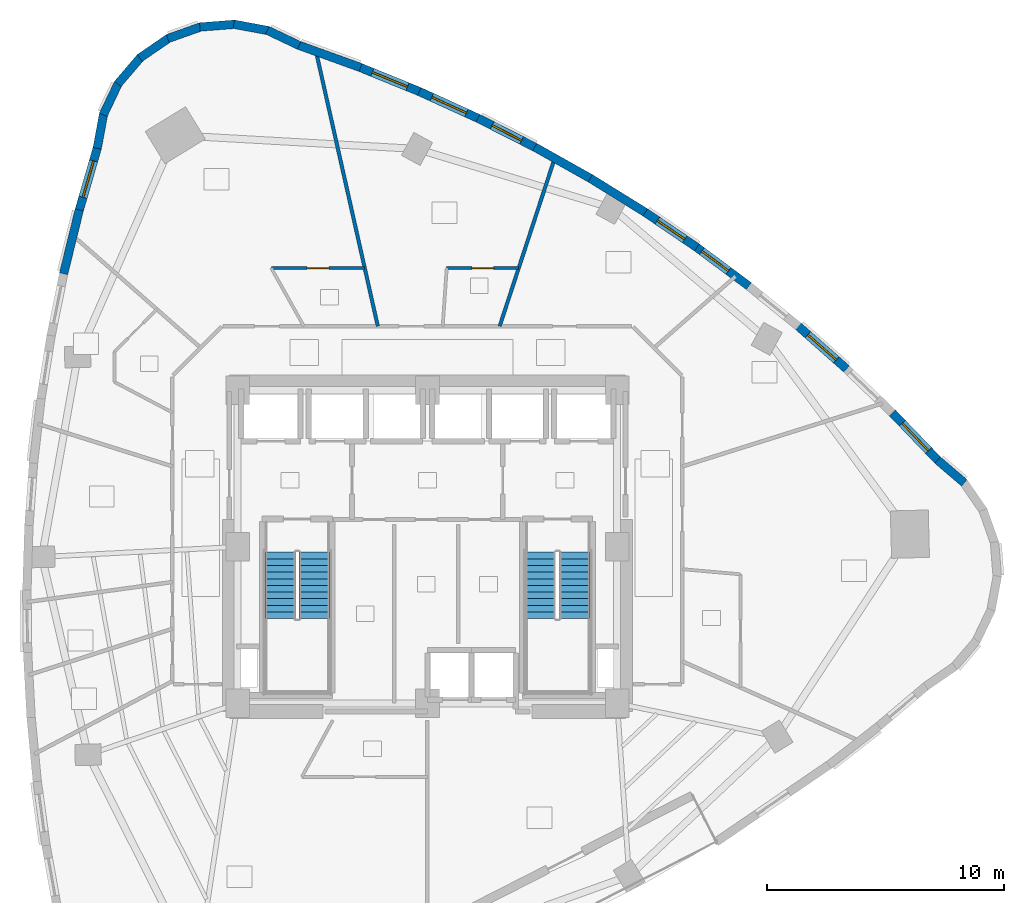
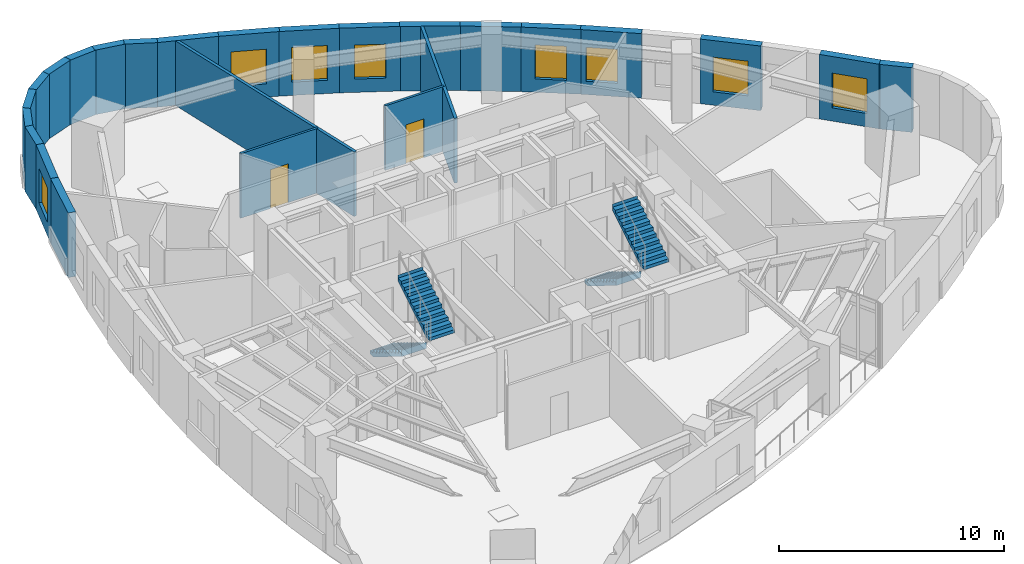
# One storey, part 8 of 11: 25 walls, 8 windows, 4 stair flights, 2 doors, 10 openings, 2 elements without a shape of their own.
"""IFC4 building model written with IfcOpenShell, lengths in metres."""

from ifc_helpers import new_model, si_unit, direction, frame, frame_2d, origin, place, context, subcontext, project, spatial, polyline, rectangle, outline, extrude, material, layer, layer_set, type_object, element, fill, aggregate, save


model = new_model("IFC4")

# Units and contexts
model_context = context("Model", 3, precision=1e-05, world=origin(), true_north=direction((0.0, 1.0)))
body_context = subcontext(model_context, "Body", "Model", "MODEL_VIEW")
ifc_project = project(units=[si_unit("LENGTHUNIT", "METRE"), si_unit("AREAUNIT", "SQUARE_METRE"), si_unit("VOLUMEUNIT", "CUBIC_METRE"), si_unit("PLANEANGLEUNIT", "RADIAN"), si_unit("MASSUNIT", "GRAM", prefix="KILO")], contexts=[model_context])

# Site, building, storey
site_placement = place(None, origin())
site = spatial("IfcSite", under=ifc_project, at=site_placement, CompositionType="ELEMENT")
building_placement = place(site_placement, origin())
building = spatial("IfcBuilding", under=site, at=building_placement, Name="Ndelora Gate Hotel", CompositionType="ELEMENT")
storey_placement = place(building_placement, frame((0.0, 0.0, 116.0)))
storey = spatial("IfcBuildingStorey", under=building, at=storey_placement, Name="L28", CompositionType="ELEMENT", Elevation=116.0)

# Walls
ifc_material_1 = material(Name="Clay Brick Masonry", Category="masonry")
ifc_layer_1 = layer(ifc_material_1, 0.360107421875)
ifc_layer_set_1 = layer_set([ifc_layer_1], Name="Clay Brick Masonry")
wall_type_1 = type_object("IfcWallType", Name="WL-BRICK-360", PredefinedType="SOLIDWALL", material=ifc_layer_set_1)
wall_1_placement = place(storey_placement, frame((-6.749267578125, 21.779052734375, 0.0), z_axis=(0.0, 0.0, 1.0), x_axis=(0.902586982789, -0.430507535938, 0.0)))
element("IfcWall", 1, at=wall_1_placement, inside=storey, type_object=wall_type_1, Name="L28 Tower Brick Pier-and-Spandrel Wall TWR-1", PredefinedType="SOLIDWALL", context=body_context, shape_type="SweptSolid", body=[
    extrude(rectangle(XDim=1.48583984375, YDim=0.360107421875, at=frame_2d((0.742919921875, 0.0))), origin(), (0.0, 0.0, 1.0), 3.5),
])
wall_2_placement = place(storey_placement, frame((-8.1630859375, 22.034423828125, 0.0), z_axis=(0.0, 0.0, 1.0), x_axis=(0.983262389335, -0.182195152844, 0.0)))
element("IfcWall", 2, at=wall_2_placement, inside=storey, type_object=wall_type_1, Name="L28 Tower Brick Pier-and-Spandrel Wall TWR-2", PredefinedType="SOLIDWALL", context=body_context, shape_type="SweptSolid", body=[
    extrude(rectangle(XDim=1.486083984375, YDim=0.360107421875, at=frame_2d((0.7431640625, 0.0))), origin(), (0.0, 0.0, 1.0), 3.5),
])
wall_3_placement = place(storey_placement, frame((-9.594482421875, 21.915283203125, 0.0), z_axis=(0.0, 0.0, 1.0), x_axis=(0.996922531952, 0.078393018091, 0.0)))
element("IfcWall", 3, at=wall_3_placement, inside=storey, type_object=wall_type_1, Name="L28 Tower Brick Pier-and-Spandrel Wall TWR-3", PredefinedType="SOLIDWALL", context=body_context, shape_type="SweptSolid", body=[
    extrude(rectangle(XDim=1.485595703125, YDim=0.360107421875, at=frame_2d((0.74267578125, 0.0))), origin(), (0.0, 0.0, 1.0), 3.5),
])
wall_4_placement = place(storey_placement, frame((-10.94677734375, 21.4296875, 0.0), z_axis=(0.0, 0.0, 1.0), x_axis=(0.942671384708, 0.33372243025, 0.0)))
element("IfcWall", 4, at=wall_4_placement, inside=storey, type_object=wall_type_1, Name="L28 Tower Brick Pier-and-Spandrel Wall TWR-4", PredefinedType="SOLIDWALL", context=body_context, shape_type="SweptSolid", body=[
    extrude(rectangle(XDim=1.48583984375, YDim=0.360107421875, at=frame_2d((0.742919921875, 0.0))), origin(), (0.0, 0.0, 1.0), 3.5),
])
wall_5_placement = place(storey_placement, frame((-12.126953125, 20.610595703125, 0.0), z_axis=(0.0, 0.0, 1.0), x_axis=(0.824104250472, 0.566438155808, 0.0)))
element("IfcWall", 5, at=wall_5_placement, inside=storey, type_object=wall_type_1, Name="L28 Tower Brick Pier-and-Spandrel Wall TWR-5", PredefinedType="SOLIDWALL", context=body_context, shape_type="SweptSolid", body=[
    extrude(rectangle(XDim=1.485595703125, YDim=0.360107421875, at=frame_2d((0.74267578125, 0.0))), origin(), (0.0, 0.0, 1.0), 3.5),
])
for number, where, z_axis, x_axis, name in (
    (6, (-13.05517578125, 19.513916015625, 0.0), (0.0, 0.0, 1.0), (0.649477934003, 0.760380439809, 0.0), "L28 Tower Brick Pier-and-Spandrel Wall TWR-6"),
    (7, (-13.667724609375, 18.21435546875, 0.0), (0.0, 0.0, 1.0), (0.430507535938, 0.902586982789, 0.0), "L28 Tower Brick Pier-and-Spandrel Wall TWR-7"),
):
    element("IfcWall", number, at=place(storey_placement, frame(where, z_axis=z_axis, x_axis=x_axis)), inside=storey, type_object=wall_type_1, Name=name, PredefinedType="SOLIDWALL", context=body_context, shape_type="SweptSolid", body=[
        extrude(rectangle(XDim=1.48583984375, YDim=0.360107421875, at=frame_2d((0.742919921875, 0.0))), origin(), (0.0, 0.0, 1.0), 3.5),
    ])
wall_6_placement = place(storey_placement, frame((-13.92333984375, 16.800537109375, 0.0), z_axis=(0.0, 0.0, 1.0), x_axis=(0.18235397995, 0.983232945947, 0.0)))
element("IfcWall", 8, at=wall_6_placement, inside=storey, type_object=wall_type_1, Name="L28 Tower Brick Pier-and-Spandrel Wall TWR-8", PredefinedType="SOLIDWALL", context=body_context, shape_type="SweptSolid", body=[
    extrude(rectangle(XDim=1.486083984375, YDim=0.360107421875, at=frame_2d((0.7431640625, 0.0))), origin(), (0.0, 0.0, 1.0), 3.5),
])

# Wall, opening, window
wall_7_placement = place(storey_placement, frame((-14.69140625, 14.15869140625, 0.0), z_axis=(0.0, 0.0, 1.0), x_axis=(0.278379734644, 0.960471094484, 0.0)))
wall_7 = element("IfcWall", 9, at=wall_7_placement, inside=storey, type_object=wall_type_1, Name="L28 Tower Brick Pier-and-Spandrel Wall TWR-9", PredefinedType="SOLIDWALL", context=body_context, shape_type="SweptSolid", body=[
    extrude(rectangle(XDim=2.80126953125, YDim=0.360107421875, at=frame_2d((1.400634765625, 0.0))), origin(), (0.0, 0.0, 1.0), 3.5),
])
opening_1_placement = place(wall_7_placement, frame((0.6005859375, 0.0, 0.719970703125)))
opening_1 = element("IfcOpeningElement", 10, at=opening_1_placement, cuts=wall_7, Name="Opening W03", PredefinedType="OPENING", context=body_context, shape_type="SweptSolid", body=[
    extrude(rectangle(XDim=1.60009765625, YDim=1.8798828125, at=frame_2d((0.800048828125, 0.93994140625))), frame((0.0, 0.18994140625, 0.0), z_axis=(0.0, -1.0, 0.0), x_axis=(1.0, 0.0, 0.0)), (0.0, 0.0, 1.0), 0.380126953125),
])
ifc_material_2 = material(Name="Insulated Low-E Double Glazing in Bronze Aluminium Frame", Category="aluminium")
window_type_1 = type_object("IfcWindowType", Name="WN-CORN-2100", PartitioningType="SINGLE_PANEL", PredefinedType="WINDOW", material=ifc_material_2)
window_1_placement = place(opening_1_placement, origin())
window_1 = element("IfcWindow", 11, at=window_1_placement, inside=storey, type_object=window_type_1, Name="L28 Deep-Set Brick-Pier Window W03", OverallHeight=1.8798828125, OverallWidth=1.60009765625, PartitioningType="SINGLE_PANEL", PredefinedType="WINDOW", context=body_context, shape_type="SweptSolid", body=[
    extrude(rectangle(XDim=1.60009765625, YDim=1.8798828125, at=frame_2d((0.800048828125, 0.93994140625))), frame((0.0, 0.030029296875, 0.0), z_axis=(0.0, -1.0, 0.0), x_axis=(1.0, 0.0, 0.0)), (0.0, 0.0, 1.0), 0.06005859375),
])
fill(opening_1, window_1)

# Walls
wall_8_placement = place(storey_placement, frame((-15.34228515625, 11.510009765625, 0.0), z_axis=(0.0, 0.0, 1.0), x_axis=(0.238997371457, 0.971020214227, 0.0)))
element("IfcWall", 12, at=wall_8_placement, inside=storey, type_object=wall_type_1, Name="L28 Tower Brick Pier-and-Spandrel Wall TWR-10", PredefinedType="SOLIDWALL", context=body_context, shape_type="SweptSolid", body=[
    extrude(rectangle(XDim=2.777587890625, YDim=0.360107421875, at=frame_2d((1.388671875, 0.0))), origin(), (0.0, 0.0, 1.0), 3.5),
])
wall_9_placement = place(storey_placement, frame((21.511474609375, 3.657470703125, 0.0), z_axis=(0.0, 0.0, 1.0), x_axis=(0.760392276745, -0.649464075578, 0.0)))
element("IfcWall", 13, at=wall_9_placement, inside=storey, type_object=wall_type_1, Name="L28 Tower Brick Pier-and-Spandrel Wall TWR-46", PredefinedType="SOLIDWALL", context=body_context, shape_type="SweptSolid", body=[
    extrude(rectangle(XDim=1.485595703125, YDim=0.360107421875, at=frame_2d((0.74267578125, 0.0))), origin(), (0.0, 0.0, 1.0), 3.5),
])

# Wall, opening, window
wall_10_placement = place(storey_placement, frame((19.607421875, 5.643798828125, 0.0), z_axis=(0.0, 0.0, 1.0), x_axis=(0.692624348053, -0.72129849056, 0.0)))
wall_10 = element("IfcWall", 14, at=wall_10_placement, inside=storey, type_object=wall_type_1, Name="L28 Tower Brick Pier-and-Spandrel Wall TWR-47", PredefinedType="SOLIDWALL", context=body_context, shape_type="SweptSolid", body=[
    extrude(rectangle(XDim=2.80126953125, YDim=0.360107421875, at=frame_2d((1.400634765625, 0.0))), origin(), (0.0, 0.0, 1.0), 3.5),
])
opening_2_placement = place(wall_10_placement, frame((0.6005859375, 0.0, 0.719970703125)))
opening_2 = element("IfcOpeningElement", 15, at=opening_2_placement, cuts=wall_10, Name="Opening W01", PredefinedType="OPENING", context=body_context, shape_type="SweptSolid", body=[
    extrude(rectangle(XDim=1.60009765625, YDim=1.8798828125, at=frame_2d((0.800048828125, 0.93994140625))), frame((0.0, 0.18994140625, 0.0), z_axis=(0.0, -1.0, 0.0), x_axis=(1.0, 0.0, 0.0)), (0.0, 0.0, 1.0), 0.380126953125),
])
window_type_2 = type_object("IfcWindowType", Name="WN-DEEP-1600", PartitioningType="SINGLE_PANEL", PredefinedType="WINDOW", material=ifc_material_2)
window_2_placement = place(opening_2_placement, origin())
window_2 = element("IfcWindow", 16, at=window_2_placement, inside=storey, type_object=window_type_2, Name="L28 Deep-Set Brick-Pier Window W01", OverallHeight=1.8798828125, OverallWidth=1.60009765625, PartitioningType="SINGLE_PANEL", PredefinedType="WINDOW", context=body_context, shape_type="SweptSolid", body=[
    extrude(rectangle(XDim=1.60009765625, YDim=1.8798828125, at=frame_2d((0.800048828125, 0.93994140625))), frame((0.0, 0.030029296875, 0.0), z_axis=(0.0, -1.0, 0.0), x_axis=(1.0, 0.0, 0.0)), (0.0, 0.0, 1.0), 0.06005859375),
])
fill(opening_2, window_2)

wall_11_placement = place(storey_placement, frame((15.60888671875, 9.32470703125, 0.0), z_axis=(0.0, 0.0, 1.0), x_axis=(0.749310700852, -0.662218599549, 0.0)))
wall_11 = element("IfcWall", 17, at=wall_11_placement, inside=storey, type_object=wall_type_1, Name="L28 Tower Brick Pier-and-Spandrel Wall TWR-49", PredefinedType="SOLIDWALL", context=body_context, shape_type="SweptSolid", body=[
    extrude(rectangle(XDim=2.75830078125, YDim=0.360107421875, at=frame_2d((1.379150390625, 0.0))), origin(), (0.0, 0.0, 1.0), 3.5),
])
opening_3_placement = place(wall_11_placement, frame((0.5791015625, 0.0, 0.719970703125)))
opening_3 = element("IfcOpeningElement", 18, at=opening_3_placement, cuts=wall_11, Name="Opening W03", PredefinedType="OPENING", context=body_context, shape_type="SweptSolid", body=[
    extrude(rectangle(XDim=1.60009765625, YDim=1.8798828125, at=frame_2d((0.800048828125, 0.93994140625))), frame((0.0, 0.18994140625, 0.0), z_axis=(0.0, -1.0, 0.0), x_axis=(1.0, 0.0, 0.0)), (0.0, 0.0, 1.0), 0.380126953125),
])
window_3_placement = place(opening_3_placement, origin())
window_3 = element("IfcWindow", 19, at=window_3_placement, inside=storey, type_object=window_type_1, Name="L28 Deep-Set Brick-Pier Window W03", OverallHeight=1.8798828125, OverallWidth=1.60009765625, PartitioningType="SINGLE_PANEL", PredefinedType="WINDOW", context=body_context, shape_type="SweptSolid", body=[
    extrude(rectangle(XDim=1.60009765625, YDim=1.8798828125, at=frame_2d((0.800048828125, 0.93994140625))), frame((0.0, 0.030029296875, 0.0), z_axis=(0.0, -1.0, 0.0), x_axis=(1.0, 0.0, 0.0)), (0.0, 0.0, 1.0), 0.06005859375),
])
fill(opening_3, window_3)

wall_12_placement = place(storey_placement, frame((11.362060546875, 12.623046875, 0.0), z_axis=(0.0, 0.0, 1.0), x_axis=(0.802329676415, -0.596881135859, 0.0)))
wall_12 = element("IfcWall", 20, at=wall_12_placement, inside=storey, type_object=wall_type_1, Name="L28 Tower Brick Pier-and-Spandrel Wall TWR-51", PredefinedType="SOLIDWALL", context=body_context, shape_type="SweptSolid", body=[
    extrude(rectangle(XDim=2.734375, YDim=0.360107421875, at=frame_2d((1.3671875, 0.0))), origin(), (0.0, 0.0, 1.0), 3.5),
])
opening_4_placement = place(wall_12_placement, frame((0.260009765625, 0.0, 0.719970703125)))
opening_4 = element("IfcOpeningElement", 21, at=opening_4_placement, cuts=wall_12, Name="Opening W02", PredefinedType="OPENING", context=body_context, shape_type="SweptSolid", body=[
    extrude(rectangle(XDim=1.39990234375, YDim=1.840087890625, at=frame_2d((0.699951171875, 0.919921875))), frame((0.0, 0.18994140625, 0.0), z_axis=(0.0, -1.0, 0.0), x_axis=(1.0, 0.0, 0.0)), (0.0, 0.0, 1.0), 0.380126953125),
])
window_type_3 = type_object("IfcWindowType", Name="WN-DEEP-1400", PartitioningType="SINGLE_PANEL", PredefinedType="WINDOW", material=ifc_material_2)
window_4_placement = place(opening_4_placement, origin())
window_4 = element("IfcWindow", 22, at=window_4_placement, inside=storey, type_object=window_type_3, Name="L28 Deep-Set Brick-Pier Window W02", OverallHeight=1.840087890625, OverallWidth=1.39990234375, PartitioningType="SINGLE_PANEL", PredefinedType="WINDOW", context=body_context, shape_type="SweptSolid", body=[
    extrude(rectangle(XDim=1.39990234375, YDim=1.840087890625, at=frame_2d((0.699951171875, 0.919921875))), frame((0.0, 0.030029296875, 0.0), z_axis=(0.0, -1.0, 0.0), x_axis=(1.0, 0.0, 0.0)), (0.0, 0.0, 1.0), 0.06005859375),
])
fill(opening_4, window_4)

wall_13_placement = place(storey_placement, frame((9.145751953125, 14.129150390625, 0.0), z_axis=(0.0, 0.0, 1.0), x_axis=(0.826868273885, -0.562395641557, 0.0)))
wall_13 = element("IfcWall", 23, at=wall_13_placement, inside=storey, type_object=wall_type_1, Name="L28 Tower Brick Pier-and-Spandrel Wall TWR-52", PredefinedType="SOLIDWALL", context=body_context, shape_type="SweptSolid", body=[
    extrude(rectangle(XDim=2.729736328125, YDim=0.360107421875, at=frame_2d((1.36474609375, 0.0))), origin(), (0.0, 0.0, 1.0), 3.5),
])
opening_5_placement = place(wall_13_placement, frame((0.664794921875, 0.0, 0.719970703125)))
opening_5 = element("IfcOpeningElement", 24, at=opening_5_placement, cuts=wall_13, Name="Opening W02", PredefinedType="OPENING", context=body_context, shape_type="SweptSolid", body=[
    extrude(rectangle(XDim=1.39990234375, YDim=1.840087890625, at=frame_2d((0.699951171875, 0.919921875))), frame((0.0, 0.18994140625, 0.0), z_axis=(0.0, -1.0, 0.0), x_axis=(1.0, 0.0, 0.0)), (0.0, 0.0, 1.0), 0.380126953125),
])
window_5_placement = place(opening_5_placement, origin())
window_5 = element("IfcWindow", 25, at=window_5_placement, inside=storey, type_object=window_type_3, Name="L28 Deep-Set Brick-Pier Window W02", OverallHeight=1.840087890625, OverallWidth=1.39990234375, PartitioningType="SINGLE_PANEL", PredefinedType="WINDOW", context=body_context, shape_type="SweptSolid", body=[
    extrude(rectangle(XDim=1.39990234375, YDim=1.840087890625, at=frame_2d((0.699951171875, 0.919921875))), frame((0.0, 0.030029296875, 0.0), z_axis=(0.0, -1.0, 0.0), x_axis=(1.0, 0.0, 0.0)), (0.0, 0.0, 1.0), 0.06005859375),
])
fill(opening_5, window_5)

# Walls
wall_14_placement = place(storey_placement, frame((6.8671875, 15.53955078125, 0.0), z_axis=(0.0, 0.0, 1.0), x_axis=(0.850066866235, -0.526674779091, 0.0)))
element("IfcWall", 26, at=wall_14_placement, inside=storey, type_object=wall_type_1, Name="L28 Tower Brick Pier-and-Spandrel Wall TWR-53", PredefinedType="SOLIDWALL", context=body_context, shape_type="SweptSolid", body=[
    extrude(rectangle(XDim=2.729736328125, YDim=0.360107421875, at=frame_2d((1.36474609375, 0.0))), origin(), (0.0, 0.0, 1.0), 3.5),
])
wall_15_placement = place(storey_placement, frame((4.527099609375, 16.8544921875, 0.0), z_axis=(0.0, 0.0, 1.0), x_axis=(0.871580305906, -0.490252761702, 0.0)))
element("IfcWall", 27, at=wall_15_placement, inside=storey, type_object=wall_type_1, Name="L28 Tower Brick Pier-and-Spandrel Wall TWR-54", PredefinedType="SOLIDWALL", context=body_context, shape_type="SweptSolid", body=[
    extrude(rectangle(XDim=2.734375, YDim=0.360107421875, at=frame_2d((1.3671875, 0.0))), origin(), (0.0, 0.0, 1.0), 3.5),
])

# Wall, opening, window
wall_16_placement = place(storey_placement, frame((2.124755859375, 18.073486328125, 0.0), z_axis=(0.0, 0.0, 1.0), x_axis=(0.891561759687, -0.452899137406, 0.0)))
wall_16 = element("IfcWall", 28, at=wall_16_placement, inside=storey, type_object=wall_type_1, Name="L28 Tower Brick Pier-and-Spandrel Wall TWR-55", PredefinedType="SOLIDWALL", context=body_context, shape_type="SweptSolid", body=[
    extrude(rectangle(XDim=2.743896484375, YDim=0.360107421875, at=frame_2d((1.3720703125, 0.0))), origin(), (0.0, 0.0, 1.0), 3.5),
])
opening_6_placement = place(wall_16_placement, frame((0.672119140625, 0.0, 0.719970703125)))
opening_6 = element("IfcOpeningElement", 29, at=opening_6_placement, cuts=wall_16, Name="Opening W02", PredefinedType="OPENING", context=body_context, shape_type="SweptSolid", body=[
    extrude(rectangle(XDim=1.39990234375, YDim=1.840087890625, at=frame_2d((0.699951171875, 0.919921875))), frame((0.0, 0.18994140625, 0.0), z_axis=(0.0, -1.0, 0.0), x_axis=(1.0, 0.0, 0.0)), (0.0, 0.0, 1.0), 0.380126953125),
])
window_6_placement = place(opening_6_placement, origin())
window_6 = element("IfcWindow", 30, at=window_6_placement, inside=storey, type_object=window_type_3, Name="L28 Deep-Set Brick-Pier Window W02", OverallHeight=1.840087890625, OverallWidth=1.39990234375, PartitioningType="SINGLE_PANEL", PredefinedType="WINDOW", context=body_context, shape_type="SweptSolid", body=[
    extrude(rectangle(XDim=1.39990234375, YDim=1.840087890625, at=frame_2d((0.699951171875, 0.919921875))), frame((0.0, 0.030029296875, 0.0), z_axis=(0.0, -1.0, 0.0), x_axis=(1.0, 0.0, 0.0)), (0.0, 0.0, 1.0), 0.06005859375),
])
fill(opening_6, window_6)

wall_17_placement = place(storey_placement, frame((-0.339599609375, 19.197509765625, 0.0), z_axis=(0.0, 0.0, 1.0), x_axis=(0.909692365211, -0.415282796028, 0.0)))
wall_17 = element("IfcWall", 31, at=wall_17_placement, inside=storey, type_object=wall_type_1, Name="L28 Tower Brick Pier-and-Spandrel Wall TWR-56", PredefinedType="SOLIDWALL", context=body_context, shape_type="SweptSolid", body=[
    extrude(rectangle(XDim=2.75830078125, YDim=0.360107421875, at=frame_2d((1.379150390625, 0.0))), origin(), (0.0, 0.0, 1.0), 3.5),
])
opening_7_placement = place(wall_17_placement, frame((0.579345703125, 0.0, 0.719970703125)))
opening_7 = element("IfcOpeningElement", 32, at=opening_7_placement, cuts=wall_17, Name="Opening W01", PredefinedType="OPENING", context=body_context, shape_type="SweptSolid", body=[
    extrude(rectangle(XDim=1.60009765625, YDim=1.8798828125, at=frame_2d((0.800048828125, 0.93994140625))), frame((0.0, 0.18994140625, 0.0), z_axis=(0.0, -1.0, 0.0), x_axis=(1.0, 0.0, 0.0)), (0.0, 0.0, 1.0), 0.380126953125),
])
window_7_placement = place(opening_7_placement, origin())
window_7 = element("IfcWindow", 33, at=window_7_placement, inside=storey, type_object=window_type_2, Name="L28 Deep-Set Brick-Pier Window W01", OverallHeight=1.8798828125, OverallWidth=1.60009765625, PartitioningType="SINGLE_PANEL", PredefinedType="WINDOW", context=body_context, shape_type="SweptSolid", body=[
    extrude(rectangle(XDim=1.60009765625, YDim=1.8798828125, at=frame_2d((0.800048828125, 0.93994140625))), frame((0.0, 0.030029296875, 0.0), z_axis=(0.0, -1.0, 0.0), x_axis=(1.0, 0.0, 0.0)), (0.0, 0.0, 1.0), 0.06005859375),
])
fill(opening_7, window_7)

wall_18_placement = place(storey_placement, frame((-2.865966796875, 20.2255859375, 0.0), z_axis=(0.0, 0.0, 1.0), x_axis=(0.926106009393, -0.377263381958, 0.0)))
wall_18 = element("IfcWall", 34, at=wall_18_placement, inside=storey, type_object=wall_type_1, Name="L28 Tower Brick Pier-and-Spandrel Wall TWR-57", PredefinedType="SOLIDWALL", context=body_context, shape_type="SweptSolid", body=[
    extrude(rectangle(XDim=2.777587890625, YDim=0.360107421875, at=frame_2d((1.388671875, 0.0))), origin(), (0.0, 0.0, 1.0), 3.5),
])
opening_8_placement = place(wall_18_placement, frame((0.5888671875, 0.0, 0.719970703125)))
opening_8 = element("IfcOpeningElement", 35, at=opening_8_placement, cuts=wall_18, Name="Opening W03", PredefinedType="OPENING", context=body_context, shape_type="SweptSolid", body=[
    extrude(rectangle(XDim=1.60009765625, YDim=1.8798828125, at=frame_2d((0.800048828125, 0.93994140625))), frame((0.0, 0.18994140625, 0.0), z_axis=(0.0, -1.0, 0.0), x_axis=(1.0, 0.0, 0.0)), (0.0, 0.0, 1.0), 0.380126953125),
])
window_8_placement = place(opening_8_placement, origin())
window_8 = element("IfcWindow", 36, at=window_8_placement, inside=storey, type_object=window_type_1, Name="L28 Deep-Set Brick-Pier Window W03", OverallHeight=1.8798828125, OverallWidth=1.60009765625, PartitioningType="SINGLE_PANEL", PredefinedType="WINDOW", context=body_context, shape_type="SweptSolid", body=[
    extrude(rectangle(XDim=1.60009765625, YDim=1.8798828125, at=frame_2d((0.800048828125, 0.93994140625))), frame((0.0, 0.030029296875, 0.0), z_axis=(0.0, -1.0, 0.0), x_axis=(1.0, 0.0, 0.0)), (0.0, 0.0, 1.0), 0.06005859375),
])
fill(opening_8, window_8)

# Walls
wall_19_placement = place(storey_placement, frame((-5.4541015625, 21.15869140625, 0.0), z_axis=(0.0, 0.0, 1.0), x_axis=(0.94061266542, -0.339481683822, 0.0)))
element("IfcWall", 37, at=wall_19_placement, inside=storey, type_object=wall_type_1, Name="L28 Tower Brick Pier-and-Spandrel Wall TWR-58", PredefinedType="SOLIDWALL", context=body_context, shape_type="SweptSolid", body=[
    extrude(rectangle(XDim=2.801025390625, YDim=0.360107421875, at=frame_2d((1.400390625, 0.0))), origin(), (0.0, 0.0, 1.0), 3.5),
])
ifc_material_3 = material(Name="Fire-Rated Gypsum Stud Partition", Category="gypsum")
ifc_layer_2 = layer(ifc_material_3, 0.14990234375)
ifc_layer_set_2 = layer_set([ifc_layer_2], Name="Fire-Rated Gypsum Stud Partition")
wall_type_2 = type_object("IfcWallType", Name="WL-PART-150", PredefinedType="PARTITIONING", material=ifc_layer_set_2)
wall_20_placement = place(storey_placement, frame((3.04638671875, 9.300048828125, 0.0), z_axis=(0.0, 0.0, 1.0), x_axis=(0.31130966002, 0.950308526521, 0.0)))
element("IfcWall", 38, at=wall_20_placement, inside=storey, type_object=wall_type_2, Name="L28 Interior Wall IW-5", PredefinedType="PARTITIONING", context=body_context, shape_type="SweptSolid", body=[
    extrude(rectangle(XDim=7.45263671875, YDim=0.14990234375, at=frame_2d((3.726318359375, 0.0))), origin(), (0.0, 0.0, 1.0), 3.5),
])
wall_21_placement = place(storey_placement, frame((-2.091552734375, 9.300048828125, 0.0), z_axis=(0.0, 0.0, 1.0), x_axis=(-0.219430983932, 0.975628025064, 0.0)))
element("IfcWall", 39, at=wall_21_placement, inside=storey, type_object=wall_type_2, Name="L28 Interior Wall IW-5", PredefinedType="PARTITIONING", context=body_context, shape_type="SweptSolid", body=[
    extrude(rectangle(XDim=11.874755859375, YDim=0.14990234375, at=frame_2d((5.9375, 0.0))), origin(), (0.0, 0.0, 1.0), 3.5),
])

# Wall, opening, door
ifc_material_4 = material(Name="Moisture-Resistant Bathroom Tile Partition", Category="gypsum")
ifc_layer_3 = layer(ifc_material_4, 0.1201171875)
ifc_layer_set_3 = layer_set([ifc_layer_3], Name="Moisture-Resistant Bathroom Tile Partition")
wall_type_3 = type_object("IfcWallType", Name="WL-WET-120", PredefinedType="PARTITIONING", material=ifc_layer_set_3)
wall_22_placement = place(storey_placement, frame((0.814208984375, 11.75, 0.0), z_axis=(0.0, 0.0, 1.0), x_axis=(1.0, 0.0, 0.0)))
wall_22 = element("IfcWall", 40, at=wall_22_placement, inside=storey, type_object=wall_type_3, Name="L28 Interior Wall IW-7", PredefinedType="PARTITIONING", context=body_context, shape_type="SweptSolid", body=[
    extrude(rectangle(XDim=3.034912109375, YDim=0.1201171875, at=frame_2d((1.517578125, 0.0))), origin(), (0.0, 0.0, 1.0), 3.5),
])
opening_9_placement = place(wall_22_placement, frame((1.057373046875, 0.0, 0.0)))
opening_9 = element("IfcOpeningElement", 41, at=opening_9_placement, cuts=wall_22, Name="Opening D03", PredefinedType="OPENING", context=body_context, shape_type="SweptSolid", body=[
    extrude(rectangle(XDim=0.919921875, YDim=2.10009765625, at=frame_2d((0.4599609375, 1.050048828125))), frame((0.0, 0.070068359375, 0.0), z_axis=(0.0, -1.0, 0.0), x_axis=(1.0, 0.0, 0.0)), (0.0, 0.0, 1.0), 0.14013671875),
])
ifc_material_5 = material(Name="Moisture-Resistant Hardwood En-Suite Door", Category="wood")
door_type = type_object("IfcDoorType", Name="DR-BATH-920", OperationType="SINGLE_SWING_LEFT", PredefinedType="DOOR", material=ifc_material_5)
door_1_placement = place(opening_9_placement, origin())
door_1 = element("IfcDoor", 42, at=door_1_placement, inside=storey, type_object=door_type, Name="L28 En-suite Bathroom 3103 Door", OperationType="SINGLE_SWING_RIGHT", OverallHeight=2.10009765625, OverallWidth=0.919921875, PredefinedType="DOOR", context=body_context, shape_type="SweptSolid", body=[
    extrude(rectangle(XDim=0.919921875, YDim=2.10009765625, at=frame_2d((0.4599609375, 1.050048828125))), frame((0.0, 0.02490234375, 0.0), z_axis=(0.0, -1.0, 0.0), x_axis=(1.0, 0.0, 0.0)), (0.0, 0.0, 1.0), 0.050048828125),
])
fill(opening_9, door_1)

wall_23_placement = place(storey_placement, frame((-6.58251953125, 11.75, 0.0), z_axis=(0.0, 0.0, 1.0), x_axis=(1.0, 0.0, 0.0)))
wall_23 = element("IfcWall", 43, at=wall_23_placement, inside=storey, type_object=wall_type_3, Name="L28 Interior Wall IW-7", PredefinedType="PARTITIONING", context=body_context, shape_type="SweptSolid", body=[
    extrude(rectangle(XDim=3.93994140625, YDim=0.1201171875, at=frame_2d((1.969970703125, 0.0))), origin(), (0.0, 0.0, 1.0), 3.5),
])
opening_10_placement = place(wall_23_placement, frame((1.510009765625, 0.0, 0.0)))
opening_10 = element("IfcOpeningElement", 44, at=opening_10_placement, cuts=wall_23, Name="Opening D03", PredefinedType="OPENING", context=body_context, shape_type="SweptSolid", body=[
    extrude(rectangle(XDim=0.919921875, YDim=2.10009765625, at=frame_2d((0.4599609375, 1.050048828125))), frame((0.0, 0.070068359375, 0.0), z_axis=(0.0, -1.0, 0.0), x_axis=(1.0, 0.0, 0.0)), (0.0, 0.0, 1.0), 0.14013671875),
])
door_2_placement = place(opening_10_placement, origin())
door_2 = element("IfcDoor", 45, at=door_2_placement, inside=storey, type_object=door_type, Name="L28 En-suite Bathroom 3104 Door", OperationType="SINGLE_SWING_LEFT", OverallHeight=2.10009765625, OverallWidth=0.919921875, PredefinedType="DOOR", context=body_context, shape_type="SweptSolid", body=[
    extrude(rectangle(XDim=0.919921875, YDim=2.10009765625, at=frame_2d((0.4599609375, 1.050048828125))), frame((0.0, 0.02490234375, 0.0), z_axis=(0.0, -1.0, 0.0), x_axis=(1.0, 0.0, 0.0)), (0.0, 0.0, 1.0), 0.050048828125),
])
fill(opening_10, door_2)

# Stair, stair flights
ifc_material_6 = material(Name="Precast concrete C40/50", Category="concrete")
stair_type = type_object("IfcStairType", Name="STR-DOG-CORE", PredefinedType="HALF_TURN_STAIR", material=ifc_material_6)
stair_1_placement = place(storey_placement, origin())
stair_1 = element("IfcStair", 46, at=stair_1_placement, inside=storey, type_object=stair_type, Name="L28 Protected Core Exit Stair ST4", PredefinedType="HALF_TURN_STAIR")
stair_flight_type = type_object("IfcStairFlightType", Name="STF-PRECAST", PredefinedType="STRAIGHT", material=ifc_material_6)
stair_flight_1_placement = place(storey_placement, frame((-6.2099609375, -0.22998046875, 0.0), z_axis=(0.0, 0.0, 1.0), x_axis=(0.0, -1.0, 0.0)))
stair_flight_1 = element("IfcStairFlight", 47, at=stair_flight_1_placement, type_object=stair_flight_type, Name="ST4 flight 1", NumberOfRisers=11, NumberOfTreads=10, PredefinedType="STRAIGHT", RiserHeight=0.170454545, TreadLength=0.28, context=body_context, shape_type="SweptSolid", body=[
    extrude(outline(polyline([(-0.00048828125, 0.0), (-0.00048828125, 0.17041015625), (0.0, 0.17041015625), (0.280029296875, 0.17041015625), (0.280029296875, 0.3408203125), (0.56005859375, 0.3408203125), (0.56005859375, 0.511474609375), (0.840087890625, 0.511474609375), (0.840087890625, 0.681884765625), (1.1201171875, 0.681884765625), (1.1201171875, 0.852294921875), (1.39990234375, 0.852294921875), (1.39990234375, 1.022705078125), (1.679931640625, 1.022705078125), (1.679931640625, 1.193115234375), (1.9599609375, 1.193115234375), (1.9599609375, 1.363525390625), (2.239990234375, 1.363525390625), (2.239990234375, 1.5341796875), (2.52001953125, 1.5341796875), (2.52001953125, 1.70458984375), (2.800048828125, 1.70458984375), (2.800048828125, 1.875), (2.800537109375, 1.875), (2.800537109375, 1.695068359375), (2.800048828125, 1.529052734375), (0.288330078125, 0.0), (-0.00048828125, 0.0)])), frame((0.0, 0.64013671875, 0.0), z_axis=(0.0, -1.0, 0.0), x_axis=(1.0, 0.0, 0.0)), (0.0, 0.0, 1.0), 1.280029296875),
])
stair_flight_2_placement = place(storey_placement, frame((-4.77001953125, -3.030029296875, 1.875), z_axis=(0.0, 0.0, 1.0), x_axis=(0.0, 1.0, 0.0)))
stair_flight_2 = element("IfcStairFlight", 48, at=stair_flight_2_placement, type_object=stair_flight_type, Name="ST4 flight 2", NumberOfRisers=11, NumberOfTreads=10, PredefinedType="STRAIGHT", RiserHeight=0.170454545, TreadLength=0.28, context=body_context, shape_type="SweptSolid", body=[
    extrude(outline(polyline([(-0.00048828125, 0.0), (-0.00048828125, 0.17041015625), (0.0, 0.17041015625), (0.280029296875, 0.17041015625), (0.280029296875, 0.3408203125), (0.56005859375, 0.3408203125), (0.56005859375, 0.511474609375), (0.840087890625, 0.511474609375), (0.840087890625, 0.681884765625), (1.1201171875, 0.681884765625), (1.1201171875, 0.852294921875), (1.39990234375, 0.852294921875), (1.39990234375, 1.022705078125), (1.679931640625, 1.022705078125), (1.679931640625, 1.193115234375), (1.9599609375, 1.193115234375), (1.9599609375, 1.363525390625), (2.239990234375, 1.363525390625), (2.239990234375, 1.5341796875), (2.52001953125, 1.5341796875), (2.52001953125, 1.70458984375), (2.800048828125, 1.70458984375), (2.800048828125, 1.875), (2.800537109375, 1.875), (2.800537109375, 1.695068359375), (2.800048828125, 1.529052734375), (0.288330078125, 0.0), (-0.00048828125, 0.0)])), frame((0.0, 0.64013671875, 0.0), z_axis=(0.0, -1.0, 0.0), x_axis=(1.0, 0.0, 0.0)), (0.0, 0.0, 1.0), 1.280029296875),
])
aggregate(stair_1, [stair_flight_1, stair_flight_2])

stair_2_placement = place(storey_placement, origin())
stair_2 = element("IfcStair", 49, at=stair_2_placement, inside=storey, type_object=stair_type, Name="L28 Protected Core Exit Stair ST5", PredefinedType="HALF_TURN_STAIR")
stair_flight_3_placement = place(storey_placement, frame((4.77001953125, -0.22998046875, 0.0), z_axis=(0.0, 0.0, 1.0), x_axis=(0.0, -1.0, 0.0)))
stair_flight_3 = element("IfcStairFlight", 50, at=stair_flight_3_placement, type_object=stair_flight_type, Name="ST5 flight 1", NumberOfRisers=11, NumberOfTreads=10, PredefinedType="STRAIGHT", RiserHeight=0.170454545, TreadLength=0.28, context=body_context, shape_type="SweptSolid", body=[
    extrude(outline(polyline([(-0.00048828125, 0.0), (-0.00048828125, 0.17041015625), (0.0, 0.17041015625), (0.280029296875, 0.17041015625), (0.280029296875, 0.3408203125), (0.56005859375, 0.3408203125), (0.56005859375, 0.511474609375), (0.840087890625, 0.511474609375), (0.840087890625, 0.681884765625), (1.1201171875, 0.681884765625), (1.1201171875, 0.852294921875), (1.39990234375, 0.852294921875), (1.39990234375, 1.022705078125), (1.679931640625, 1.022705078125), (1.679931640625, 1.193115234375), (1.9599609375, 1.193115234375), (1.9599609375, 1.363525390625), (2.239990234375, 1.363525390625), (2.239990234375, 1.5341796875), (2.52001953125, 1.5341796875), (2.52001953125, 1.70458984375), (2.800048828125, 1.70458984375), (2.800048828125, 1.875), (2.800537109375, 1.875), (2.800537109375, 1.695068359375), (2.800048828125, 1.529052734375), (0.288330078125, 0.0), (-0.00048828125, 0.0)])), frame((0.0, 0.64013671875, 0.0), z_axis=(0.0, -1.0, 0.0), x_axis=(1.0, 0.0, 0.0)), (0.0, 0.0, 1.0), 1.280029296875),
])
stair_flight_4_placement = place(storey_placement, frame((6.2099609375, -3.030029296875, 1.875), z_axis=(0.0, 0.0, 1.0), x_axis=(0.0, 1.0, 0.0)))
stair_flight_4 = element("IfcStairFlight", 51, at=stair_flight_4_placement, type_object=stair_flight_type, Name="ST5 flight 2", NumberOfRisers=11, NumberOfTreads=10, PredefinedType="STRAIGHT", RiserHeight=0.170454545, TreadLength=0.28, context=body_context, shape_type="SweptSolid", body=[
    extrude(outline(polyline([(-0.00048828125, 0.0), (-0.00048828125, 0.17041015625), (0.0, 0.17041015625), (0.280029296875, 0.17041015625), (0.280029296875, 0.3408203125), (0.56005859375, 0.3408203125), (0.56005859375, 0.511474609375), (0.840087890625, 0.511474609375), (0.840087890625, 0.681884765625), (1.1201171875, 0.681884765625), (1.1201171875, 0.852294921875), (1.39990234375, 0.852294921875), (1.39990234375, 1.022705078125), (1.679931640625, 1.022705078125), (1.679931640625, 1.193115234375), (1.9599609375, 1.193115234375), (1.9599609375, 1.363525390625), (2.239990234375, 1.363525390625), (2.239990234375, 1.5341796875), (2.52001953125, 1.5341796875), (2.52001953125, 1.70458984375), (2.800048828125, 1.70458984375), (2.800048828125, 1.875), (2.800537109375, 1.875), (2.800537109375, 1.695068359375), (2.800048828125, 1.529052734375), (0.288330078125, 0.0), (-0.00048828125, 0.0)])), frame((0.0, 0.64013671875, 0.0), z_axis=(0.0, -1.0, 0.0), x_axis=(1.0, 0.0, 0.0)), (0.0, 0.0, 1.0), 1.280029296875),
])
aggregate(stair_2, [stair_flight_3, stair_flight_4])

save(model, "model.ifc")
